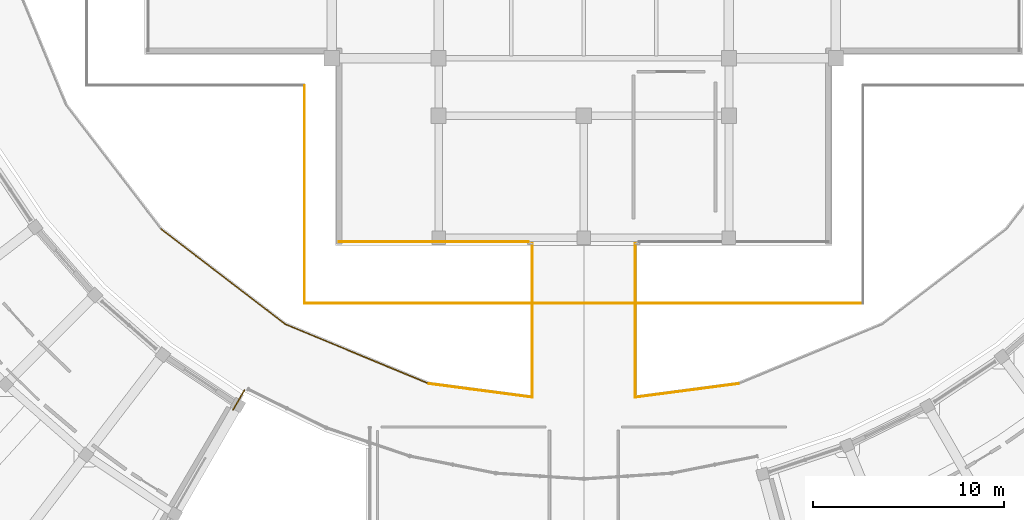
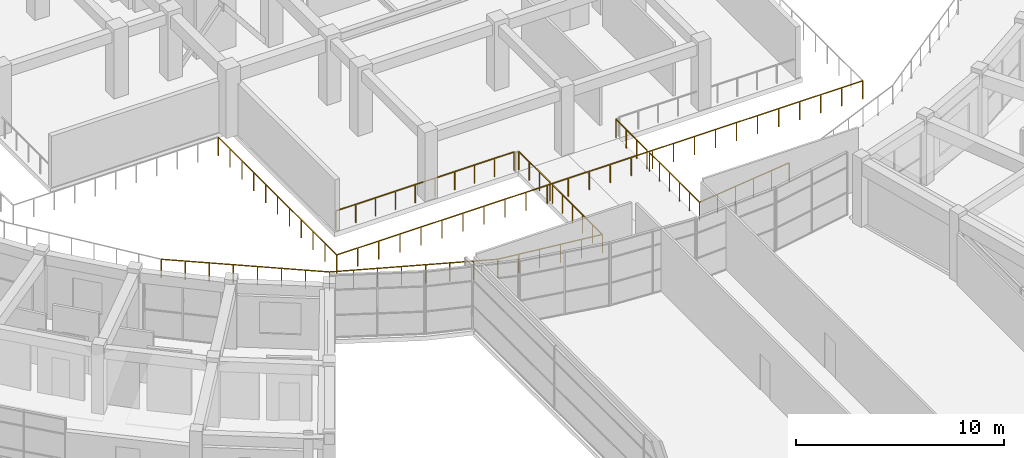
# One storey, part 67 of 83: 12 railings.
"""IFC4 building model written with IfcOpenShell, lengths in metres."""

from ifc_helpers import new_model, si_unit, direction, frame, origin, origin_2d, place, context, subcontext, project, spatial, rectangle, extrude, material, layer, layer_set, type_object, element, save


model = new_model("IFC4")

# Units and contexts
model_context = context("Model", 3, precision=1e-05, world=origin(), true_north=direction((0.0, 1.0)))
body_context = subcontext(model_context, "Body", "Model", "MODEL_VIEW")
ifc_project = project(units=[si_unit("LENGTHUNIT", "METRE"), si_unit("AREAUNIT", "SQUARE_METRE"), si_unit("VOLUMEUNIT", "CUBIC_METRE"), si_unit("PLANEANGLEUNIT", "RADIAN"), si_unit("MASSUNIT", "GRAM", prefix="KILO")], contexts=[model_context])

# Site, building, storey
site_placement = place(None, origin())
site = spatial("IfcSite", under=ifc_project, at=site_placement, CompositionType="ELEMENT")
building_placement = place(site_placement, origin())
building = spatial("IfcBuilding", under=site, at=building_placement, Name="Saryqyr Civic Hall", CompositionType="ELEMENT")
storey_placement = place(building_placement, frame((0.0, 0.0, 9.14990234375)))
storey = spatial("IfcBuildingStorey", under=building, at=storey_placement, Name="L02", CompositionType="ELEMENT", Elevation=9.14990234375)

# Railings
ifc_material_1 = material(Name="Stainless steel and laminated glass", Category="steel")
ifc_layer_1 = layer(ifc_material_1, 0.06005859375, Name="Stainless steel and laminated glass")
ifc_layer_set_1 = layer_set([ifc_layer_1], Name="Stainless steel and laminated glass")
railing_type_1 = type_object("IfcRailingType", Name="ENV-RLG-BAL-1100", PredefinedType="BALUSTRADE", material=ifc_layer_set_1)
railing_1_placement = place(storey_placement, frame((42.3798828125, 57.97998046875, 0.0)))
element("IfcRailing", 1, at=railing_1_placement, inside=storey, type_object=railing_type_1, Name="Perimeter safety balustrade V1-STEPG-L02-G01", PredefinedType="BALUSTRADE", context=body_context, shape_type="SweptSolid", body=[
    extrude(rectangle(XDim=0.048095703125, YDim=0.048095703125, at=origin_2d()), frame((0.0, 0.0, 1.076171875), z_axis=(1.0, 0.0, 0.0), x_axis=(0.0, 1.0, 0.0)), (0.0, 0.0, 1.0), 29.240234375),
    extrude(rectangle(XDim=0.0419921875, YDim=0.0419921875, at=origin_2d()), origin(), (0.0, 0.0, 1.0), 1.052001953125),
    extrude(rectangle(XDim=0.0419921875, YDim=0.0419921875, at=origin_2d()), frame((1.169677734375, 0.0, 0.0)), (0.0, 0.0, 1.0), 1.052001953125),
    extrude(rectangle(XDim=0.0419921875, YDim=0.0419921875, at=origin_2d()), frame((2.339111328125, 0.0, 0.0)), (0.0, 0.0, 1.0), 1.052001953125),
    extrude(rectangle(XDim=0.0419921875, YDim=0.0419921875, at=origin_2d()), frame((3.5087890625, 0.0, 0.0)), (0.0, 0.0, 1.0), 1.052001953125),
    extrude(rectangle(XDim=0.0419921875, YDim=0.0419921875, at=origin_2d()), frame((4.678466796875, 0.0, 0.0)), (0.0, 0.0, 1.0), 1.052001953125),
    extrude(rectangle(XDim=0.0419921875, YDim=0.0419921875, at=origin_2d()), frame((5.84814453125, 0.0, 0.0)), (0.0, 0.0, 1.0), 1.052001953125),
    extrude(rectangle(XDim=0.0419921875, YDim=0.0419921875, at=origin_2d()), frame((7.017578125, 0.0, 0.0)), (0.0, 0.0, 1.0), 1.052001953125),
    extrude(rectangle(XDim=0.0419921875, YDim=0.0419921875, at=origin_2d()), frame((8.187255859375, 0.0, 0.0)), (0.0, 0.0, 1.0), 1.052001953125),
    extrude(rectangle(XDim=0.0419921875, YDim=0.0419921875, at=origin_2d()), frame((9.35693359375, 0.0, 0.0)), (0.0, 0.0, 1.0), 1.052001953125),
    extrude(rectangle(XDim=0.0419921875, YDim=0.0419921875, at=origin_2d()), frame((10.5263671875, 0.0, 0.0)), (0.0, 0.0, 1.0), 1.052001953125),
    extrude(rectangle(XDim=0.0419921875, YDim=0.0419921875, at=origin_2d()), frame((11.696044921875, 0.0, 0.0)), (0.0, 0.0, 1.0), 1.052001953125),
    extrude(rectangle(XDim=0.0419921875, YDim=0.0419921875, at=origin_2d()), frame((12.86572265625, 0.0, 0.0)), (0.0, 0.0, 1.0), 1.052001953125),
    extrude(rectangle(XDim=0.0419921875, YDim=0.0419921875, at=origin_2d()), frame((14.035400390625, 0.0, 0.0)), (0.0, 0.0, 1.0), 1.052001953125),
    extrude(rectangle(XDim=0.0419921875, YDim=0.0419921875, at=origin_2d()), frame((15.204833984375, 0.0, 0.0)), (0.0, 0.0, 1.0), 1.052001953125),
    extrude(rectangle(XDim=0.0419921875, YDim=0.0419921875, at=origin_2d()), frame((16.37451171875, 0.0, 0.0)), (0.0, 0.0, 1.0), 1.052001953125),
    extrude(rectangle(XDim=0.0419921875, YDim=0.0419921875, at=origin_2d()), frame((17.544189453125, 0.0, 0.0)), (0.0, 0.0, 1.0), 1.052001953125),
    extrude(rectangle(XDim=0.0419921875, YDim=0.0419921875, at=origin_2d()), frame((18.7138671875, 0.0, 0.0)), (0.0, 0.0, 1.0), 1.052001953125),
    extrude(rectangle(XDim=0.0419921875, YDim=0.0419921875, at=origin_2d()), frame((19.88330078125, 0.0, 0.0)), (0.0, 0.0, 1.0), 1.052001953125),
    extrude(rectangle(XDim=0.0419921875, YDim=0.0419921875, at=origin_2d()), frame((21.052978515625, 0.0, 0.0)), (0.0, 0.0, 1.0), 1.052001953125),
    extrude(rectangle(XDim=0.0419921875, YDim=0.0419921875, at=origin_2d()), frame((22.22265625, 0.0, 0.0)), (0.0, 0.0, 1.0), 1.052001953125),
    extrude(rectangle(XDim=0.0419921875, YDim=0.0419921875, at=origin_2d()), frame((23.39208984375, 0.0, 0.0)), (0.0, 0.0, 1.0), 1.052001953125),
    extrude(rectangle(XDim=0.0419921875, YDim=0.0419921875, at=origin_2d()), frame((24.561767578125, 0.0, 0.0)), (0.0, 0.0, 1.0), 1.052001953125),
    extrude(rectangle(XDim=0.0419921875, YDim=0.0419921875, at=origin_2d()), frame((25.7314453125, 0.0, 0.0)), (0.0, 0.0, 1.0), 1.052001953125),
    extrude(rectangle(XDim=0.0419921875, YDim=0.0419921875, at=origin_2d()), frame((26.901123046875, 0.0, 0.0)), (0.0, 0.0, 1.0), 1.052001953125),
    extrude(rectangle(XDim=0.0419921875, YDim=0.0419921875, at=origin_2d()), frame((28.070556640625, 0.0, 0.0)), (0.0, 0.0, 1.0), 1.052001953125),
    extrude(rectangle(XDim=0.0419921875, YDim=0.0419921875, at=origin_2d()), frame((29.240234375, 0.0, 0.0)), (0.0, 0.0, 1.0), 1.052001953125),
])
railing_2_placement = place(storey_placement, frame((42.3798828125, 69.3798828125, 0.0)))
element("IfcRailing", 2, at=railing_2_placement, inside=storey, type_object=railing_type_1, Name="Perimeter safety balustrade V1-STEPG-L02-G12", PredefinedType="BALUSTRADE", context=body_context, shape_type="SweptSolid", body=[
    extrude(rectangle(XDim=0.048095703125, YDim=0.048095703125, at=origin_2d()), frame((0.0, 0.0, 1.076171875), z_axis=(0.0, -1.0, 0.0), x_axis=(1.0, 0.0, 0.0)), (0.0, 0.0, 1.0), 11.39990234375),
    extrude(rectangle(XDim=0.0419921875, YDim=0.0419921875, at=origin_2d()), origin(), (0.0, 0.0, 1.0), 1.052001953125),
    extrude(rectangle(XDim=0.0419921875, YDim=0.0419921875, at=origin_2d()), frame((0.0, -1.139892578125, 0.0)), (0.0, 0.0, 1.0), 1.052001953125),
    extrude(rectangle(XDim=0.0419921875, YDim=0.0419921875, at=origin_2d()), frame((0.0, -2.280029296875, 0.0)), (0.0, 0.0, 1.0), 1.052001953125),
    extrude(rectangle(XDim=0.0419921875, YDim=0.0419921875, at=origin_2d()), frame((0.0, -3.419921875, 0.0)), (0.0, 0.0, 1.0), 1.052001953125),
    extrude(rectangle(XDim=0.0419921875, YDim=0.0419921875, at=origin_2d()), frame((0.0, -4.56005859375, 0.0)), (0.0, 0.0, 1.0), 1.052001953125),
    extrude(rectangle(XDim=0.0419921875, YDim=0.0419921875, at=origin_2d()), frame((0.0, -5.699951171875, 0.0)), (0.0, 0.0, 1.0), 1.052001953125),
    extrude(rectangle(XDim=0.0419921875, YDim=0.0419921875, at=origin_2d()), frame((0.0, -6.83984375, 0.0)), (0.0, 0.0, 1.0), 1.052001953125),
    extrude(rectangle(XDim=0.0419921875, YDim=0.0419921875, at=origin_2d()), frame((0.0, -7.97998046875, 0.0)), (0.0, 0.0, 1.0), 1.052001953125),
    extrude(rectangle(XDim=0.0419921875, YDim=0.0419921875, at=origin_2d()), frame((0.0, -9.119873046875, 0.0)), (0.0, 0.0, 1.0), 1.052001953125),
    extrude(rectangle(XDim=0.0419921875, YDim=0.0419921875, at=origin_2d()), frame((0.0, -10.260009765625, 0.0)), (0.0, 0.0, 1.0), 1.052001953125),
    extrude(rectangle(XDim=0.0419921875, YDim=0.0419921875, at=origin_2d()), frame((0.0, -11.39990234375, 0.0)), (0.0, 0.0, 1.0), 1.052001953125),
])
ifc_material_2 = material(Name="Warm brushed brass and laminated glass", Category="glass")
ifc_layer_2 = layer(ifc_material_2, 0.06005859375, Name="Warm brushed brass and laminated glass")
ifc_layer_set_2 = layer_set([ifc_layer_2], Name="Warm brushed brass and laminated glass")
railing_type_2 = type_object("IfcRailingType", Name="INT-RLG-BAL-1100", PredefinedType="BALUSTRADE", material=ifc_layer_set_2)
railing_3_placement = place(storey_placement, frame((44.199951171875, 61.199951171875, 0.0)))
element("IfcRailing", 3, at=railing_3_placement, inside=storey, type_object=railing_type_2, Name="Perimeter safety balustrade V1-JNTGA-L02-11-G01", PredefinedType="BALUSTRADE", context=body_context, shape_type="SweptSolid", body=[
    extrude(rectangle(XDim=0.048095703125, YDim=0.048095703125, at=origin_2d()), frame((0.0, 0.0, 1.076171875), z_axis=(1.0, 0.0, 0.0), x_axis=(0.0, 1.0, 0.0)), (0.0, 0.0, 1.0), 9.900146484375),
    extrude(rectangle(XDim=0.0419921875, YDim=0.0419921875, at=origin_2d()), origin(), (0.0, 0.0, 1.0), 1.052001953125),
    extrude(rectangle(XDim=0.0419921875, YDim=0.0419921875, at=origin_2d()), frame((1.10009765625, 0.0, 0.0)), (0.0, 0.0, 1.0), 1.052001953125),
    extrude(rectangle(XDim=0.0419921875, YDim=0.0419921875, at=origin_2d()), frame((2.199951171875, 0.0, 0.0)), (0.0, 0.0, 1.0), 1.052001953125),
    extrude(rectangle(XDim=0.0419921875, YDim=0.0419921875, at=origin_2d()), frame((3.300048828125, 0.0, 0.0)), (0.0, 0.0, 1.0), 1.052001953125),
    extrude(rectangle(XDim=0.0419921875, YDim=0.0419921875, at=origin_2d()), frame((4.400146484375, 0.0, 0.0)), (0.0, 0.0, 1.0), 1.052001953125),
    extrude(rectangle(XDim=0.0419921875, YDim=0.0419921875, at=origin_2d()), frame((5.5, 0.0, 0.0)), (0.0, 0.0, 1.0), 1.052001953125),
    extrude(rectangle(XDim=0.0419921875, YDim=0.0419921875, at=origin_2d()), frame((6.60009765625, 0.0, 0.0)), (0.0, 0.0, 1.0), 1.052001953125),
    extrude(rectangle(XDim=0.0419921875, YDim=0.0419921875, at=origin_2d()), frame((7.7001953125, 0.0, 0.0)), (0.0, 0.0, 1.0), 1.052001953125),
    extrude(rectangle(XDim=0.0419921875, YDim=0.0419921875, at=origin_2d()), frame((8.800048828125, 0.0, 0.0)), (0.0, 0.0, 1.0), 1.052001953125),
    extrude(rectangle(XDim=0.0419921875, YDim=0.0419921875, at=origin_2d()), frame((9.900146484375, 0.0, 0.0)), (0.0, 0.0, 1.0), 1.052001953125),
])
railing_4_placement = place(storey_placement, frame((39.240234375, 53.439208984375, 0.0)))
element("IfcRailing", 4, at=railing_4_placement, inside=storey, type_object=railing_type_2, Name="Interior deck safety balustrade L02-001", PredefinedType="BALUSTRADE", context=body_context, shape_type="SweptSolid", body=[
    extrude(rectangle(XDim=0.048095703125, YDim=0.048095703125, at=origin_2d()), frame((0.0, 0.0, 1.09619140625), z_axis=(-0.500020834101, -0.866013374876, 0.0), x_axis=(0.866013374876, -0.500020834101, 0.0)), (0.0, 0.0, 1.0), 1.2041015625),
    extrude(rectangle(XDim=0.0419921875, YDim=0.0419921875, at=origin_2d()), origin(), (0.0, 0.0, 1.0), 1.072021484375),
    extrude(rectangle(XDim=0.0419921875, YDim=0.0419921875, at=origin_2d()), frame((-0.301025390625, -0.521484375, 0.0)), (0.0, 0.0, 1.0), 1.072021484375),
    extrude(rectangle(XDim=0.0419921875, YDim=0.0419921875, at=origin_2d()), frame((-0.60205078125, -1.042724609375, 0.0)), (0.0, 0.0, 1.0), 1.072021484375),
])
railing_5_placement = place(storey_placement, frame((59.699951171875, 61.10009765625, 0.0)))
element("IfcRailing", 5, at=railing_5_placement, inside=storey, type_object=railing_type_2, Name="Interior deck safety balustrade L02-058", PredefinedType="BALUSTRADE", context=body_context, shape_type="SweptSolid", body=[
    extrude(rectangle(XDim=0.048095703125, YDim=0.048095703125, at=origin_2d()), frame((0.0, 0.0, 1.09619140625), z_axis=(0.0, -1.0, 0.0), x_axis=(1.0, 0.0, 0.0)), (0.0, 0.0, 1.0), 3.0),
    extrude(rectangle(XDim=0.0419921875, YDim=0.0419921875, at=origin_2d()), origin(), (0.0, 0.0, 1.0), 1.072021484375),
    extrude(rectangle(XDim=0.0419921875, YDim=0.0419921875, at=origin_2d()), frame((0.0, -1.0, 0.0)), (0.0, 0.0, 1.0), 1.072021484375),
    extrude(rectangle(XDim=0.0419921875, YDim=0.0419921875, at=origin_2d()), frame((0.0, -2.0, 0.0)), (0.0, 0.0, 1.0), 1.072021484375),
    extrude(rectangle(XDim=0.0419921875, YDim=0.0419921875, at=origin_2d()), frame((0.0, -3.0, 0.0)), (0.0, 0.0, 1.0), 1.072021484375),
])
railing_6_placement = place(storey_placement, frame((59.699951171875, 57.860107421875, 0.0)))
element("IfcRailing", 6, at=railing_6_placement, inside=storey, type_object=railing_type_2, Name="Interior deck safety balustrade L02-059", PredefinedType="BALUSTRADE", context=body_context, shape_type="SweptSolid", body=[
    extrude(rectangle(XDim=0.048095703125, YDim=0.048095703125, at=origin_2d()), frame((0.0, 0.0, 1.09619140625), z_axis=(0.0, -1.0, 0.0), x_axis=(1.0, 0.0, 0.0)), (0.0, 0.0, 1.0), 4.805419921875),
    extrude(rectangle(XDim=0.0419921875, YDim=0.0419921875, at=origin_2d()), origin(), (0.0, 0.0, 1.0), 1.072021484375),
    extrude(rectangle(XDim=0.0419921875, YDim=0.0419921875, at=origin_2d()), frame((0.0, -0.961181640625, 0.0)), (0.0, 0.0, 1.0), 1.072021484375),
    extrude(rectangle(XDim=0.0419921875, YDim=0.0419921875, at=origin_2d()), frame((0.0, -1.922119140625, 0.0)), (0.0, 0.0, 1.0), 1.072021484375),
    extrude(rectangle(XDim=0.0419921875, YDim=0.0419921875, at=origin_2d()), frame((0.0, -2.88330078125, 0.0)), (0.0, 0.0, 1.0), 1.072021484375),
    extrude(rectangle(XDim=0.0419921875, YDim=0.0419921875, at=origin_2d()), frame((0.0, -3.84423828125, 0.0)), (0.0, 0.0, 1.0), 1.072021484375),
    extrude(rectangle(XDim=0.0419921875, YDim=0.0419921875, at=origin_2d()), frame((0.0, -4.805419921875, 0.0)), (0.0, 0.0, 1.0), 1.072021484375),
])
railing_7_placement = place(storey_placement, frame((59.699951171875, 53.0546875, 0.0)))
element("IfcRailing", 7, at=railing_7_placement, inside=storey, type_object=railing_type_2, Name="Interior deck safety balustrade L02-060", PredefinedType="BALUSTRADE", context=body_context, shape_type="SweptSolid", body=[
    extrude(rectangle(XDim=0.048095703125, YDim=0.048095703125, at=origin_2d()), frame((0.0, 0.0, 1.09619140625), z_axis=(0.99144880359, 0.130496244624, 0.0), x_axis=(-0.130496244624, 0.99144880359, 0.0)), (0.0, 0.0, 1.0), 5.447998046875),
    extrude(rectangle(XDim=0.0419921875, YDim=0.0419921875, at=origin_2d()), origin(), (0.0, 0.0, 1.0), 1.072021484375),
    extrude(rectangle(XDim=0.0419921875, YDim=0.0419921875, at=origin_2d()), frame((1.080322265625, 0.14208984375, 0.0)), (0.0, 0.0, 1.0), 1.072021484375),
    extrude(rectangle(XDim=0.0419921875, YDim=0.0419921875, at=origin_2d()), frame((2.16064453125, 0.284423828125, 0.0)), (0.0, 0.0, 1.0), 1.072021484375),
    extrude(rectangle(XDim=0.0419921875, YDim=0.0419921875, at=origin_2d()), frame((3.24072265625, 0.426513671875, 0.0)), (0.0, 0.0, 1.0), 1.072021484375),
    extrude(rectangle(XDim=0.0419921875, YDim=0.0419921875, at=origin_2d()), frame((4.321044921875, 0.56884765625, 0.0)), (0.0, 0.0, 1.0), 1.072021484375),
    extrude(rectangle(XDim=0.0419921875, YDim=0.0419921875, at=origin_2d()), frame((5.4013671875, 0.7109375, 0.0)), (0.0, 0.0, 1.0), 1.072021484375),
])
railing_8_placement = place(storey_placement, frame((34.866943359375, 61.866943359375, 0.0)))
element("IfcRailing", 8, at=railing_8_placement, inside=storey, type_object=railing_type_2, Name="Interior deck safety balustrade L02-080", PredefinedType="BALUSTRADE", context=body_context, shape_type="SweptSolid", body=[
    extrude(rectangle(XDim=0.048095703125, YDim=0.048095703125, at=origin_2d()), frame((0.0, 0.0, 1.09619140625), z_axis=(0.793350937865, -0.608764559899, 0.0), x_axis=(0.608764559899, 0.793350937865, 0.0)), (0.0, 0.0, 1.0), 8.171142578125),
    extrude(rectangle(XDim=0.0419921875, YDim=0.0419921875, at=origin_2d()), origin(), (0.0, 0.0, 1.0), 1.072021484375),
    extrude(rectangle(XDim=0.0419921875, YDim=0.0419921875, at=origin_2d()), frame((0.926025390625, -0.710693359375, 0.0)), (0.0, 0.0, 1.0), 1.072021484375),
    extrude(rectangle(XDim=0.0419921875, YDim=0.0419921875, at=origin_2d()), frame((1.852294921875, -1.421142578125, 0.0)), (0.0, 0.0, 1.0), 1.072021484375),
    extrude(rectangle(XDim=0.0419921875, YDim=0.0419921875, at=origin_2d()), frame((2.7783203125, -2.1318359375, 0.0)), (0.0, 0.0, 1.0), 1.072021484375),
    extrude(rectangle(XDim=0.0419921875, YDim=0.0419921875, at=origin_2d()), frame((3.704345703125, -2.842529296875, 0.0)), (0.0, 0.0, 1.0), 1.072021484375),
    extrude(rectangle(XDim=0.0419921875, YDim=0.0419921875, at=origin_2d()), frame((4.63037109375, -3.55322265625, 0.0)), (0.0, 0.0, 1.0), 1.072021484375),
    extrude(rectangle(XDim=0.0419921875, YDim=0.0419921875, at=origin_2d()), frame((5.556640625, -4.263671875, 0.0)), (0.0, 0.0, 1.0), 1.072021484375),
    extrude(rectangle(XDim=0.0419921875, YDim=0.0419921875, at=origin_2d()), frame((6.482666015625, -4.974365234375, 0.0)), (0.0, 0.0, 1.0), 1.072021484375),
])
railing_9_placement = place(storey_placement, frame((41.349609375, 56.892578125, 0.0)))
element("IfcRailing", 9, at=railing_9_placement, inside=storey, type_object=railing_type_2, Name="Interior deck safety balustrade L02-081", PredefinedType="BALUSTRADE", context=body_context, shape_type="SweptSolid", body=[
    extrude(rectangle(XDim=0.048095703125, YDim=0.048095703125, at=origin_2d()), frame((0.0, 0.0, 1.09619140625), z_axis=(0.923878450384, -0.382686044841, 0.0), x_axis=(0.382686044841, 0.923878450384, 0.0)), (0.0, 0.0, 1.0), 8.171142578125),
    extrude(rectangle(XDim=0.0419921875, YDim=0.0419921875, at=origin_2d()), origin(), (0.0, 0.0, 1.0), 1.072021484375),
    extrude(rectangle(XDim=0.0419921875, YDim=0.0419921875, at=origin_2d()), frame((1.078369140625, -0.44677734375, 0.0)), (0.0, 0.0, 1.0), 1.072021484375),
    extrude(rectangle(XDim=0.0419921875, YDim=0.0419921875, at=origin_2d()), frame((2.156982421875, -0.893310546875, 0.0)), (0.0, 0.0, 1.0), 1.072021484375),
    extrude(rectangle(XDim=0.0419921875, YDim=0.0419921875, at=origin_2d()), frame((3.2353515625, -1.340087890625, 0.0)), (0.0, 0.0, 1.0), 1.072021484375),
    extrude(rectangle(XDim=0.0419921875, YDim=0.0419921875, at=origin_2d()), frame((4.313720703125, -1.786865234375, 0.0)), (0.0, 0.0, 1.0), 1.072021484375),
    extrude(rectangle(XDim=0.0419921875, YDim=0.0419921875, at=origin_2d()), frame((5.39208984375, -2.233642578125, 0.0)), (0.0, 0.0, 1.0), 1.072021484375),
    extrude(rectangle(XDim=0.0419921875, YDim=0.0419921875, at=origin_2d()), frame((6.470703125, -2.68017578125, 0.0)), (0.0, 0.0, 1.0), 1.072021484375),
    extrude(rectangle(XDim=0.0419921875, YDim=0.0419921875, at=origin_2d()), frame((7.549072265625, -3.126953125, 0.0)), (0.0, 0.0, 1.0), 1.072021484375),
])
railing_10_placement = place(storey_placement, frame((48.898681640625, 53.765625, 0.0)))
element("IfcRailing", 10, at=railing_10_placement, inside=storey, type_object=railing_type_2, Name="Interior deck safety balustrade L02-082", PredefinedType="BALUSTRADE", context=body_context, shape_type="SweptSolid", body=[
    extrude(rectangle(XDim=0.048095703125, YDim=0.048095703125, at=origin_2d()), frame((0.0, 0.0, 1.09619140625), z_axis=(0.99144880359, -0.130496244624, 0.0), x_axis=(0.130496244624, 0.99144880359, 0.0)), (0.0, 0.0, 1.0), 5.447998046875),
    extrude(rectangle(XDim=0.0419921875, YDim=0.0419921875, at=origin_2d()), origin(), (0.0, 0.0, 1.0), 1.072021484375),
    extrude(rectangle(XDim=0.0419921875, YDim=0.0419921875, at=origin_2d()), frame((1.080322265625, -0.14208984375, 0.0)), (0.0, 0.0, 1.0), 1.072021484375),
    extrude(rectangle(XDim=0.0419921875, YDim=0.0419921875, at=origin_2d()), frame((2.16064453125, -0.284423828125, 0.0)), (0.0, 0.0, 1.0), 1.072021484375),
    extrude(rectangle(XDim=0.0419921875, YDim=0.0419921875, at=origin_2d()), frame((3.24072265625, -0.426513671875, 0.0)), (0.0, 0.0, 1.0), 1.072021484375),
    extrude(rectangle(XDim=0.0419921875, YDim=0.0419921875, at=origin_2d()), frame((4.321044921875, -0.56884765625, 0.0)), (0.0, 0.0, 1.0), 1.072021484375),
    extrude(rectangle(XDim=0.0419921875, YDim=0.0419921875, at=origin_2d()), frame((5.4013671875, -0.7109375, 0.0)), (0.0, 0.0, 1.0), 1.072021484375),
])
railing_11_placement = place(storey_placement, frame((54.300048828125, 53.0546875, 0.0)))
element("IfcRailing", 11, at=railing_11_placement, inside=storey, type_object=railing_type_2, Name="Interior deck safety balustrade L02-083", PredefinedType="BALUSTRADE", context=body_context, shape_type="SweptSolid", body=[
    extrude(rectangle(XDim=0.048095703125, YDim=0.048095703125, at=origin_2d()), frame((0.0, 0.0, 1.09619140625), z_axis=(0.0, 1.0, 0.0), x_axis=(-1.0, 0.0, 0.0)), (0.0, 0.0, 1.0), 4.805419921875),
    extrude(rectangle(XDim=0.0419921875, YDim=0.0419921875, at=origin_2d()), origin(), (0.0, 0.0, 1.0), 1.072021484375),
    extrude(rectangle(XDim=0.0419921875, YDim=0.0419921875, at=origin_2d()), frame((0.0, 0.961181640625, 0.0)), (0.0, 0.0, 1.0), 1.072021484375),
    extrude(rectangle(XDim=0.0419921875, YDim=0.0419921875, at=origin_2d()), frame((0.0, 1.922119140625, 0.0)), (0.0, 0.0, 1.0), 1.072021484375),
    extrude(rectangle(XDim=0.0419921875, YDim=0.0419921875, at=origin_2d()), frame((0.0, 2.88330078125, 0.0)), (0.0, 0.0, 1.0), 1.072021484375),
    extrude(rectangle(XDim=0.0419921875, YDim=0.0419921875, at=origin_2d()), frame((0.0, 3.84423828125, 0.0)), (0.0, 0.0, 1.0), 1.072021484375),
    extrude(rectangle(XDim=0.0419921875, YDim=0.0419921875, at=origin_2d()), frame((0.0, 4.805419921875, 0.0)), (0.0, 0.0, 1.0), 1.072021484375),
])
railing_12_placement = place(storey_placement, frame((54.300048828125, 58.10009765625, 0.0)))
element("IfcRailing", 12, at=railing_12_placement, inside=storey, type_object=railing_type_2, Name="Interior deck safety balustrade L02-084", PredefinedType="BALUSTRADE", context=body_context, shape_type="SweptSolid", body=[
    extrude(rectangle(XDim=0.048095703125, YDim=0.048095703125, at=origin_2d()), frame((0.0, 0.0, 1.09619140625), z_axis=(0.0, 1.0, 0.0), x_axis=(-1.0, 0.0, 0.0)), (0.0, 0.0, 1.0), 3.0),
    extrude(rectangle(XDim=0.0419921875, YDim=0.0419921875, at=origin_2d()), origin(), (0.0, 0.0, 1.0), 1.072021484375),
    extrude(rectangle(XDim=0.0419921875, YDim=0.0419921875, at=origin_2d()), frame((0.0, 1.0, 0.0)), (0.0, 0.0, 1.0), 1.072021484375),
    extrude(rectangle(XDim=0.0419921875, YDim=0.0419921875, at=origin_2d()), frame((0.0, 2.0, 0.0)), (0.0, 0.0, 1.0), 1.072021484375),
    extrude(rectangle(XDim=0.0419921875, YDim=0.0419921875, at=origin_2d()), frame((0.0, 3.0, 0.0)), (0.0, 0.0, 1.0), 1.072021484375),
])

save(model, "model.ifc")
